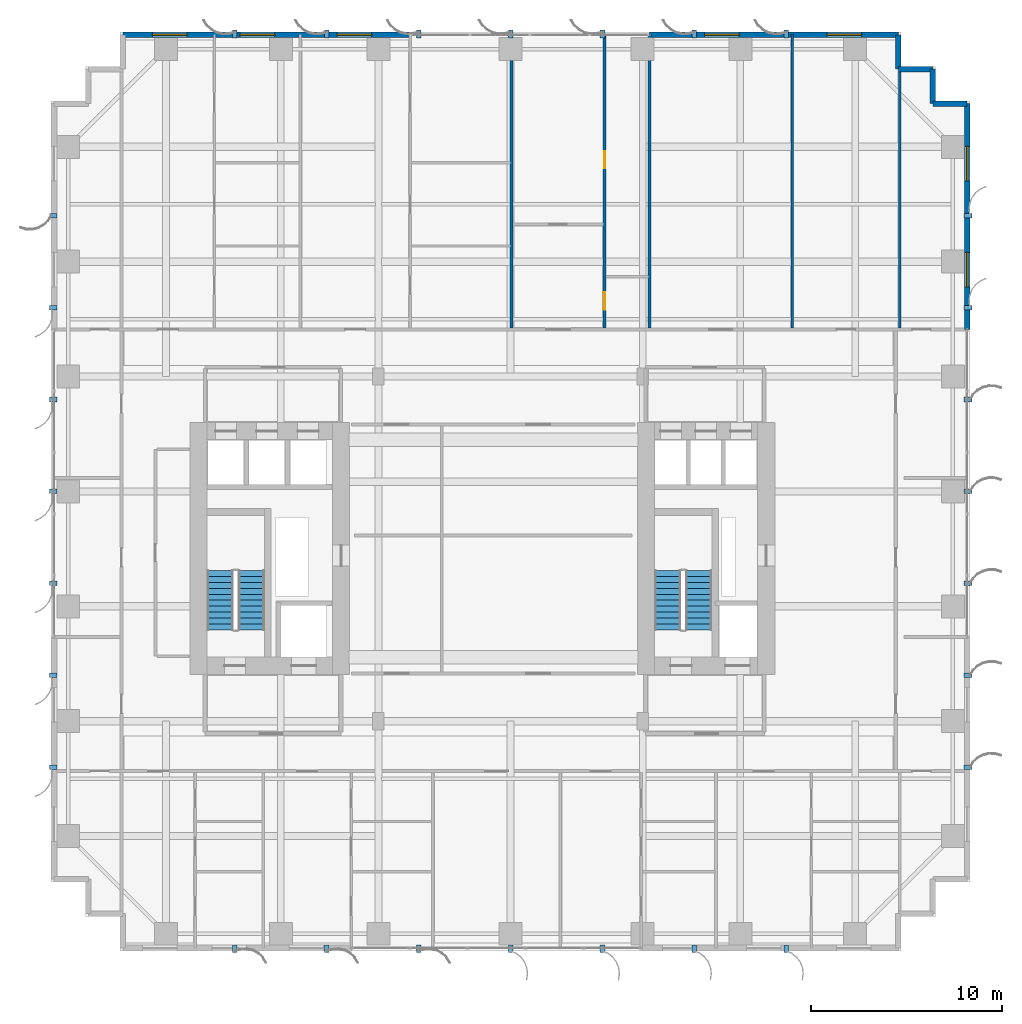
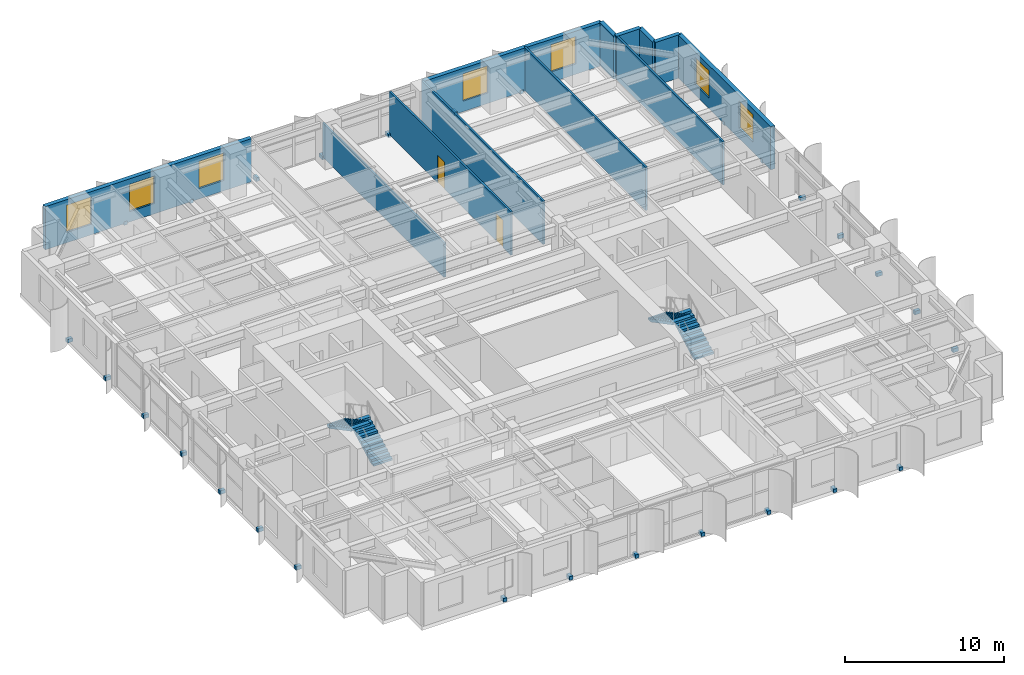
# One storey, part 20 of 24: 28 discrete accessories, 12 walls, 7 windows, 4 stair flights, 2 doors, 9 openings, 2 elements without a shape of their own.
"""IFC4 building model written with IfcOpenShell, lengths in metres."""

from ifc_helpers import new_model, si_unit, direction, frame, frame_2d, origin, origin_2d, place, context, subcontext, project, spatial, polyline, rectangle, outline, extrude, source, transform, mapped, material, layer, layer_set, type_object, element, fill, aggregate, save


model = new_model("IFC4")

# Units and contexts
model_context = context("Model", 3, precision=1e-05, world=origin(), true_north=direction((0.0, 1.0)))
body_context = subcontext(model_context, "Body", "Model", "MODEL_VIEW")
ifc_project = project(units=[si_unit("LENGTHUNIT", "METRE"), si_unit("AREAUNIT", "SQUARE_METRE"), si_unit("VOLUMEUNIT", "CUBIC_METRE"), si_unit("PLANEANGLEUNIT", "RADIAN"), si_unit("MASSUNIT", "GRAM", prefix="KILO")], contexts=[model_context])

# Site, building, storey
site_placement = place(None, origin())
site = spatial("IfcSite", under=ifc_project, at=site_placement, CompositionType="ELEMENT")
building_placement = place(site_placement, origin())
building = spatial("IfcBuilding", under=site, at=building_placement, Name="Khoralis Quay Care Tower", CompositionType="ELEMENT")
storey_placement = place(building_placement, frame((0.0, 0.0, 40.5)))
storey = spatial("IfcBuildingStorey", under=building, at=storey_placement, Name="L10", CompositionType="ELEMENT", Elevation=40.5)

# Wall, openings, windows
ifc_material_1 = material(Name="Precast concrete C45/55", Category="concrete")
ifc_layer_1 = layer(ifc_material_1, 0.300048828125)
ifc_layer_set_1 = layer_set([ifc_layer_1], Name="Precast concrete C45/55")
wall_type_1 = type_object("IfcWallType", Name="WL-EXT-REF-300", PredefinedType="SOLIDWALL", material=ifc_layer_set_1)
wall_1_placement = place(storey_placement, frame((47.85009765625, 32.4599609375, 0.0), z_axis=(0.0, 0.0, 1.0), x_axis=(0.0, 1.0, 0.0)))
wall_1 = element("IfcWall", 1, at=wall_1_placement, inside=storey, type_object=wall_type_1, Name="L10 External Facade Wall WL-EXT-L10-P1-E5B", PredefinedType="SOLIDWALL", context=body_context, shape_type="SweptSolid", body=[
    extrude(rectangle(XDim=11.7900390625, YDim=0.300048828125, at=frame_2d((5.89501953125, 0.0))), origin(), (0.0, 0.0, 1.0), 3.320068359375),
])
opening_1_placement = place(wall_1_placement, frame((2.2275390625, 0.0, 0.800048828125)))
opening_1 = element("IfcOpeningElement", 2, at=opening_1_placement, cuts=wall_1, Name="Opening W2", PredefinedType="OPENING", context=body_context, shape_type="SweptSolid", body=[
    extrude(rectangle(XDim=1.800048828125, YDim=2.10009765625, at=frame_2d((0.89990234375, 1.050048828125))), frame((0.0, 0.16015625, 0.0), z_axis=(0.0, -1.0, 0.0), x_axis=(1.0, 0.0, 0.0)), (0.0, 0.0, 1.0), 0.320068359375),
])
opening_2_placement = place(wall_1_placement, frame((7.762451171875, 0.0, 0.800048828125)))
opening_2 = element("IfcOpeningElement", 3, at=opening_2_placement, cuts=wall_1, Name="Opening W2", PredefinedType="OPENING", context=body_context, shape_type="SweptSolid", body=[
    extrude(rectangle(XDim=1.800048828125, YDim=2.10009765625, at=frame_2d((0.89990234375, 1.050048828125))), frame((0.0, 0.16015625, 0.0), z_axis=(0.0, -1.0, 0.0), x_axis=(1.0, 0.0, 0.0)), (0.0, 0.0, 1.0), 0.320068359375),
])
ifc_material_2 = material(Name="Low-E solar-control double glazing", Category="glass")
window_type = type_object("IfcWindowType", Name="WN-POD-1800X2100", PartitioningType="SINGLE_PANEL", PredefinedType="WINDOW", material=ifc_material_2)
shared_shape_1 = source(origin(), body_context, "Body", "SweptSolid", [
    extrude(rectangle(XDim=1.800048828125, YDim=2.10009765625, at=frame_2d((0.89990234375, 1.050048828125))), frame((0.0, 0.030029296875, 0.0), z_axis=(0.0, -1.0, 0.0), x_axis=(1.0, 0.0, 0.0)), (0.0, 0.0, 1.0), 0.06005859375),
])
window_1_placement = place(opening_1_placement, origin())
window_1 = element("IfcWindow", 4, at=window_1_placement, inside=storey, type_object=window_type, Name="WN-L10-P1-E5B Facade Window 01", OverallHeight=2.10009765625, OverallWidth=1.800048828125, PartitioningType="SINGLE_PANEL", PredefinedType="WINDOW", context=body_context, shape_type="MappedRepresentation", body=[
    mapped(shared_shape_1, transform((0.0, 0.0, 0.0), scale=1.0)),
])
fill(opening_1, window_1)
window_2_placement = place(opening_2_placement, origin())
window_2 = element("IfcWindow", 5, at=window_2_placement, inside=storey, type_object=window_type, Name="WN-L10-P1-E5B Facade Window 02", OverallHeight=2.10009765625, OverallWidth=1.800048828125, PartitioningType="SINGLE_PANEL", PredefinedType="WINDOW", context=body_context, shape_type="MappedRepresentation", body=[
    mapped(shared_shape_1, transform((0.0, 0.0, 0.0), scale=1.0)),
])
fill(opening_2, window_2)

# Walls
for number, where, z_axis, x_axis, name in (
    (6, (47.85009765625, 44.25, 0.0), (0.0, 0.0, 1.0), (-1.0, 0.0, 0.0), "L10 External Facade Wall WL-EXT-L10-P1-C6"),
    (7, (46.050048828125, 44.25, 0.0), (0.0, 0.0, 1.0), (0.0, 1.0, 0.0), "L10 External Facade Wall WL-EXT-L10-P1-C7"),
    (8, (46.050048828125, 46.050048828125, 0.0), (0.0, 0.0, 1.0), (-1.0, 0.0, 0.0), "L10 External Facade Wall WL-EXT-L10-P1-C8"),
    (9, (44.25, 46.050048828125, 0.0), (0.0, 0.0, 1.0), (0.0, 1.0, 0.0), "L10 External Facade Wall WL-EXT-L10-P1-C9"),
):
    element("IfcWall", number, at=place(storey_placement, frame(where, z_axis=z_axis, x_axis=x_axis)), inside=storey, type_object=wall_type_1, Name=name, PredefinedType="SOLIDWALL", context=body_context, shape_type="SweptSolid", body=[
        extrude(rectangle(XDim=1.800048828125, YDim=0.300048828125, at=frame_2d((0.89990234375, 0.0))), origin(), (0.0, 0.0, 1.0), 3.320068359375),
    ])

# Wall, openings, windows
wall_2_placement = place(storey_placement, frame((44.25, 47.85009765625, 0.0), z_axis=(0.0, 0.0, 1.0), x_axis=(-1.0, 0.0, 0.0)))
wall_2 = element("IfcWall", 10, at=wall_2_placement, inside=storey, type_object=wall_type_1, Name="L10 External Facade Wall WL-EXT-L10-P1-E10A", PredefinedType="SOLIDWALL", context=body_context, shape_type="SweptSolid", body=[
    extrude(rectangle(XDim=12.989990234375, YDim=0.300048828125, at=frame_2d((6.4951171875, 0.0))), origin(), (0.0, 0.0, 1.0), 3.320068359375),
])
opening_3_placement = place(wall_2_placement, frame((1.919921875, 0.0, 0.800048828125)))
opening_3 = element("IfcOpeningElement", 11, at=opening_3_placement, cuts=wall_2, Name="Opening W2", PredefinedType="OPENING", context=body_context, shape_type="SweptSolid", body=[
    extrude(rectangle(XDim=1.800048828125, YDim=2.10009765625, at=frame_2d((0.89990234375, 1.050048828125))), frame((0.0, 0.16015625, 0.0), z_axis=(0.0, -1.0, 0.0), x_axis=(1.0, 0.0, 0.0)), (0.0, 0.0, 1.0), 0.320068359375),
])
opening_4_placement = place(wall_2_placement, frame((8.31494140625, 0.0, 0.800048828125)))
opening_4 = element("IfcOpeningElement", 12, at=opening_4_placement, cuts=wall_2, Name="Opening W2", PredefinedType="OPENING", context=body_context, shape_type="SweptSolid", body=[
    extrude(rectangle(XDim=1.800048828125, YDim=2.10009765625, at=frame_2d((0.89990234375, 1.050048828125))), frame((0.0, 0.16015625, 0.0), z_axis=(0.0, -1.0, 0.0), x_axis=(1.0, 0.0, 0.0)), (0.0, 0.0, 1.0), 0.320068359375),
])
window_3_placement = place(opening_3_placement, origin())
window_3 = element("IfcWindow", 13, at=window_3_placement, inside=storey, type_object=window_type, Name="WN-L10-P1-E10A Facade Window 01", OverallHeight=2.10009765625, OverallWidth=1.800048828125, PartitioningType="SINGLE_PANEL", PredefinedType="WINDOW", context=body_context, shape_type="MappedRepresentation", body=[
    mapped(shared_shape_1, transform((0.0, 0.0, 0.0), scale=1.0)),
])
fill(opening_3, window_3)
window_4_placement = place(opening_4_placement, origin())
window_4 = element("IfcWindow", 14, at=window_4_placement, inside=storey, type_object=window_type, Name="WN-L10-P1-E10A Facade Window 02", OverallHeight=2.10009765625, OverallWidth=1.800048828125, PartitioningType="SINGLE_PANEL", PredefinedType="WINDOW", context=body_context, shape_type="MappedRepresentation", body=[
    mapped(shared_shape_1, transform((0.0, 0.0, 0.0), scale=1.0)),
])
fill(opening_4, window_4)

wall_3_placement = place(storey_placement, frame((18.756103515625, 47.85009765625, 0.0), z_axis=(0.0, 0.0, 1.0), x_axis=(-1.0, 0.0, 0.0)))
wall_3 = element("IfcWall", 15, at=wall_3_placement, inside=storey, type_object=wall_type_1, Name="L10 External Facade Wall WL-EXT-L10-P1-E10B", PredefinedType="SOLIDWALL", context=body_context, shape_type="SweptSolid", body=[
    extrude(rectangle(XDim=15.006103515625, YDim=0.300048828125, at=frame_2d((7.5029296875, 0.0))), origin(), (0.0, 0.0, 1.0), 3.320068359375),
])
opening_5_placement = place(wall_3_placement, frame((2.01806640625, 0.0, 0.800048828125)))
opening_5 = element("IfcOpeningElement", 16, at=opening_5_placement, cuts=wall_3, Name="Opening W2", PredefinedType="OPENING", context=body_context, shape_type="SweptSolid", body=[
    extrude(rectangle(XDim=1.800048828125, YDim=2.10009765625, at=frame_2d((0.89990234375, 1.050048828125))), frame((0.0, 0.16015625, 0.0), z_axis=(0.0, -1.0, 0.0), x_axis=(1.0, 0.0, 0.0)), (0.0, 0.0, 1.0), 0.320068359375),
])
opening_6_placement = place(wall_3_placement, frame((7.077392578125, 0.0, 0.800048828125)))
opening_6 = element("IfcOpeningElement", 17, at=opening_6_placement, cuts=wall_3, Name="Opening W2", PredefinedType="OPENING", context=body_context, shape_type="SweptSolid", body=[
    extrude(rectangle(XDim=1.800048828125, YDim=2.10009765625, at=frame_2d((0.89990234375, 1.050048828125))), frame((0.0, 0.16015625, 0.0), z_axis=(0.0, -1.0, 0.0), x_axis=(1.0, 0.0, 0.0)), (0.0, 0.0, 1.0), 0.320068359375),
])
opening_7_placement = place(wall_3_placement, frame((11.66259765625, 0.0, 0.800048828125)))
opening_7 = element("IfcOpeningElement", 18, at=opening_7_placement, cuts=wall_3, Name="Opening W2", PredefinedType="OPENING", context=body_context, shape_type="SweptSolid", body=[
    extrude(rectangle(XDim=1.800048828125, YDim=2.10009765625, at=frame_2d((0.89990234375, 1.050048828125))), frame((0.0, 0.16015625, 0.0), z_axis=(0.0, -1.0, 0.0), x_axis=(1.0, 0.0, 0.0)), (0.0, 0.0, 1.0), 0.320068359375),
])
window_5_placement = place(opening_5_placement, origin())
window_5 = element("IfcWindow", 19, at=window_5_placement, inside=storey, type_object=window_type, Name="WN-L10-P1-E10B Facade Window 01", OverallHeight=2.10009765625, OverallWidth=1.800048828125, PartitioningType="SINGLE_PANEL", PredefinedType="WINDOW", context=body_context, shape_type="MappedRepresentation", body=[
    mapped(shared_shape_1, transform((0.0, 0.0, 0.0), scale=1.0)),
])
fill(opening_5, window_5)
window_6_placement = place(opening_6_placement, origin())
window_6 = element("IfcWindow", 20, at=window_6_placement, inside=storey, type_object=window_type, Name="WN-L10-P1-E10B Facade Window 02", OverallHeight=2.10009765625, OverallWidth=1.800048828125, PartitioningType="SINGLE_PANEL", PredefinedType="WINDOW", context=body_context, shape_type="MappedRepresentation", body=[
    mapped(shared_shape_1, transform((0.0, 0.0, 0.0), scale=1.0)),
])
fill(opening_6, window_6)
window_7_placement = place(opening_7_placement, origin())
window_7 = element("IfcWindow", 21, at=window_7_placement, inside=storey, type_object=window_type, Name="WN-L10-P1-E10B Facade Window 03", OverallHeight=2.10009765625, OverallWidth=1.800048828125, PartitioningType="SINGLE_PANEL", PredefinedType="WINDOW", context=body_context, shape_type="MappedRepresentation", body=[
    mapped(shared_shape_1, transform((0.0, 0.0, 0.0), scale=1.0)),
])
fill(opening_7, window_7)

# Wall, openings, doors
ifc_material_3 = material(Name="Moisture-resistant gypsum and ceramic tile")
ifc_layer_2 = layer(ifc_material_3, 0.280029296875)
ifc_layer_set_2 = layer_set([ifc_layer_2], Name="Moisture-resistant gypsum and ceramic tile")
wall_type_2 = type_object("IfcWallType", Name="WL-PLUMB-280", PredefinedType="PLUMBINGWALL", material=ifc_layer_set_2)
wall_4_placement = place(storey_placement, frame((28.909912109375, 32.53759765625, 0.0), z_axis=(0.0, 0.0, 1.0), x_axis=(0.0, 1.0, 0.0)))
wall_4 = element("IfcWall", 22, at=wall_4_placement, inside=storey, type_object=wall_type_2, Name="L10 Care Suite 2 En-Suite Wall V", PredefinedType="PLUMBINGWALL", context=body_context, shape_type="SweptSolid", body=[
    extrude(rectangle(XDim=15.3173828125, YDim=0.139892578125, at=frame_2d((7.65869140625, 0.0))), origin(), (0.0, 0.0, 1.0), 3.320068359375),
])
opening_8_placement = place(wall_4_placement, frame((0.96240234375, 0.0, 0.0)))
opening_8 = element("IfcOpeningElement", 23, at=opening_8_placement, cuts=wall_4, Name="Opening WD1", PredefinedType="OPENING", context=body_context, shape_type="SweptSolid", body=[
    extrude(rectangle(XDim=0.89990234375, YDim=2.10009765625, at=frame_2d((0.449951171875, 1.050048828125))), frame((0.0, 0.080078125, 0.0), z_axis=(0.0, -1.0, 0.0), x_axis=(1.0, 0.0, 0.0)), (0.0, 0.0, 1.0), 0.159912109375),
])
opening_9_placement = place(wall_4_placement, frame((8.342529296875, 0.0, 0.0)))
opening_9 = element("IfcOpeningElement", 24, at=opening_9_placement, cuts=wall_4, Name="Opening WD1", PredefinedType="OPENING", context=body_context, shape_type="SweptSolid", body=[
    extrude(rectangle(XDim=0.89990234375, YDim=2.10009765625, at=frame_2d((0.449951171875, 1.050048828125))), frame((0.0, 0.080078125, 0.0), z_axis=(0.0, -1.0, 0.0), x_axis=(1.0, 0.0, 0.0)), (0.0, 0.0, 1.0), 0.159912109375),
])
ifc_material_4 = material(Name="Acoustic hardwood timber", Category="wood")
door_type = type_object("IfcDoorType", Name="DR-BATH-900X2100", OperationType="NOTDEFINED", PredefinedType="DOOR", material=ifc_material_4)
shared_shape_2 = source(origin(), body_context, "Body", "SweptSolid", [
    extrude(rectangle(XDim=0.89990234375, YDim=2.10009765625, at=frame_2d((0.449951171875, 1.050048828125))), frame((0.0, 0.02490234375, 0.0), z_axis=(0.0, -1.0, 0.0), x_axis=(1.0, 0.0, 0.0)), (0.0, 0.0, 1.0), 0.050048828125),
])
door_1_placement = place(opening_8_placement, frame((0.89990234375, 0.0, 0.0), z_axis=(0.0, 0.0, 1.0), x_axis=(-1.0, 0.0, 0.0)))
door_1 = element("IfcDoor", 25, at=door_1_placement, inside=storey, type_object=door_type, Name="L10 Care CENS Door", OperationType="SINGLE_SWING_LEFT", OverallHeight=2.10009765625, OverallWidth=0.89990234375, PredefinedType="DOOR", context=body_context, shape_type="MappedRepresentation", body=[
    mapped(shared_shape_2, transform((0.0, 0.0, 0.0), scale=1.0)),
])
fill(opening_8, door_1)
door_2_placement = place(opening_9_placement, frame((0.89990234375, 0.0, 0.0), z_axis=(0.0, 0.0, 1.0), x_axis=(-1.0, 0.0, 0.0)))
door_2 = element("IfcDoor", 26, at=door_2_placement, inside=storey, type_object=door_type, Name="L10 Care CSIT Door", OperationType="SINGLE_SWING_RIGHT", OverallHeight=2.10009765625, OverallWidth=0.89990234375, PredefinedType="DOOR", context=body_context, shape_type="MappedRepresentation", body=[
    mapped(shared_shape_2, transform((0.0, 0.0, 0.0), scale=1.0)),
])
fill(opening_9, door_2)

# Walls
ifc_material_5 = material(Name="Gypsum plasterboard on acoustic metal stud")
ifc_layer_3 = layer(ifc_material_5, 0.139892578125)
ifc_layer_set_3 = layer_set([ifc_layer_3], Name="Gypsum plasterboard on acoustic metal stud")
wall_type_3 = type_object("IfcWallType", Name="WL-UNIT-140", PredefinedType="PARTITIONING", material=ifc_layer_set_3)
wall_5_placement = place(storey_placement, frame((24.050048828125, 32.53759765625, 0.0), z_axis=(0.0, 0.0, 1.0), x_axis=(0.0, 1.0, 0.0)))
element("IfcWall", 27, at=wall_5_placement, inside=storey, type_object=wall_type_3, Name="L10 NB Demising Wall 2", PredefinedType="PARTITIONING", context=body_context, shape_type="SweptSolid", body=[
    extrude(rectangle(XDim=15.3173828125, YDim=0.139892578125, at=frame_2d((7.65869140625, 0.0))), origin(), (0.0, 0.0, 1.0), 2.625),
])
for number, where, z_axis, x_axis, name in (
    (28, (31.260009765625, 32.53759765625, 0.0), (0.0, 0.0, 1.0), (0.0, 1.0, 0.0), "L10 NB Demising Wall 3"),
    (29, (38.7099609375, 32.53759765625, 0.0), (0.0, 0.0, 1.0), (0.0, 1.0, 0.0), "L10 NB Demising Wall 4"),
):
    element("IfcWall", number, at=place(storey_placement, frame(where, z_axis=z_axis, x_axis=x_axis)), inside=storey, type_object=wall_type_3, Name=name, PredefinedType="PARTITIONING", context=body_context, shape_type="SweptSolid", body=[
        extrude(rectangle(XDim=15.3173828125, YDim=0.139892578125, at=frame_2d((7.65869140625, 0.0))), origin(), (0.0, 0.0, 1.0), 3.320068359375),
    ])
wall_6_placement = place(storey_placement, frame((44.320068359375, 32.53759765625, 0.0), z_axis=(0.0, 0.0, 1.0), x_axis=(0.0, 1.0, 0.0)))
element("IfcWall", 30, at=wall_6_placement, inside=storey, type_object=wall_type_3, Name="L10 NB Demising Wall 5", PredefinedType="PARTITIONING", context=body_context, shape_type="SweptSolid", body=[
    extrude(rectangle(XDim=13.517333984375, YDim=0.139892578125, at=frame_2d((6.7587890625, 0.0))), origin(), (0.0, 0.0, 1.0), 3.320068359375),
])

# Stair, stair flights
stair_type = type_object("IfcStairType", Name="ST-TWR-DOGLEG-1400", PredefinedType="HALF_TURN_STAIR", material=ifc_material_1)
stair_1_placement = place(storey_placement, origin())
stair_1 = element("IfcStair", 31, at=stair_1_placement, inside=storey, type_object=stair_type, Name="L10 West Core Exit Stair ST-T1", PredefinedType="HALF_TURN_STAIR")
stair_flight_type = type_object("IfcStairFlightType", Name="SF-TWR-1400", PredefinedType="STRAIGHT", material=ifc_material_1)
shared_shape_3 = source(origin(), body_context, "Body", "SweptSolid", [
    extrude(outline(polyline([(0.0, 0.0), (0.0, 0.16357421875), (0.31005859375, 0.16357421875), (0.31005859375, 0.327392578125), (0.6201171875, 0.327392578125), (0.6201171875, 0.490966796875), (0.929931640625, 0.490966796875), (0.929931640625, 0.654541015625), (1.239990234375, 0.654541015625), (1.239990234375, 0.818115234375), (1.550048828125, 0.818115234375), (1.550048828125, 0.98193359375), (1.860107421875, 0.98193359375), (1.860107421875, 1.1455078125), (2.169921875, 1.1455078125), (2.169921875, 1.30908203125), (2.47998046875, 1.30908203125), (2.47998046875, 1.47265625), (2.7900390625, 1.47265625), (2.7900390625, 1.636474609375), (3.10009765625, 1.636474609375), (3.10009765625, 1.800048828125), (3.10009765625, 1.466796875), (0.321044921875, 0.0), (0.0, 0.0)])), frame((0.0, 0.68994140625, 0.0), z_axis=(0.0, -1.0, 0.0), x_axis=(1.0, 0.0, 0.0)), (0.0, 0.0, 1.0), 1.3798828125),
])
stair_flight_1_placement = place(storey_placement, frame((10.4599609375, 16.77001953125, 0.0), z_axis=(0.0, 0.0, 1.0), x_axis=(0.0, 1.0, 0.0)))
stair_flight_1 = element("IfcStairFlight", 32, at=stair_flight_1_placement, type_object=stair_flight_type, Name="ST-T1 flight 1", NumberOfRisers=11, NumberOfTreads=10, PredefinedType="STRAIGHT", RiserHeight=0.163636364, TreadLength=0.31, context=body_context, shape_type="MappedRepresentation", body=[
    mapped(shared_shape_3, transform((0.0, 0.0, 0.0), scale=1.0)),
])
stair_flight_2_placement = place(storey_placement, frame((8.840087890625, 19.8701171875, 1.800048828125), z_axis=(0.0, 0.0, 1.0), x_axis=(0.0, -1.0, 0.0)))
stair_flight_2 = element("IfcStairFlight", 33, at=stair_flight_2_placement, type_object=stair_flight_type, Name="ST-T1 flight 2", NumberOfRisers=11, NumberOfTreads=10, PredefinedType="STRAIGHT", RiserHeight=0.163636364, TreadLength=0.31, context=body_context, shape_type="MappedRepresentation", body=[
    mapped(shared_shape_3, transform((0.0, 0.0, 0.0), scale=1.0)),
])
aggregate(stair_1, [stair_flight_1, stair_flight_2])

stair_2_placement = place(storey_placement, origin())
stair_2 = element("IfcStair", 34, at=stair_2_placement, inside=storey, type_object=stair_type, Name="L10 East Core Exit Stair ST-T2", PredefinedType="HALF_TURN_STAIR")
stair_flight_3_placement = place(storey_placement, frame((33.830078125, 16.77001953125, 0.0), z_axis=(0.0, 0.0, 1.0), x_axis=(0.0, 1.0, 0.0)))
stair_flight_3 = element("IfcStairFlight", 35, at=stair_flight_3_placement, type_object=stair_flight_type, Name="ST-T2 flight 1", NumberOfRisers=11, NumberOfTreads=10, PredefinedType="STRAIGHT", RiserHeight=0.163636364, TreadLength=0.31, context=body_context, shape_type="MappedRepresentation", body=[
    mapped(shared_shape_3, transform((0.0, 0.0, 0.0), scale=1.0)),
])
stair_flight_4_placement = place(storey_placement, frame((32.2099609375, 19.8701171875, 1.800048828125), z_axis=(0.0, 0.0, 1.0), x_axis=(0.0, -1.0, 0.0)))
stair_flight_4 = element("IfcStairFlight", 36, at=stair_flight_4_placement, type_object=stair_flight_type, Name="ST-T2 flight 2", NumberOfRisers=11, NumberOfTreads=10, PredefinedType="STRAIGHT", RiserHeight=0.163636364, TreadLength=0.31, context=body_context, shape_type="MappedRepresentation", body=[
    mapped(shared_shape_3, transform((0.0, 0.0, 0.0), scale=1.0)),
])
aggregate(stair_2, [stair_flight_3, stair_flight_4])

# Discrete accessories
ifc_material_6 = material(Name="Brushed stainless steel", Category="steel")
discrete_accessory_type = type_object("IfcDiscreteAccessoryType", Name="ACC-FIN-BRACKET", PredefinedType="BRACKET", material=ifc_material_6)
shared_shape_4 = source(origin(), body_context, "Body", "SweptSolid", [
    extrude(rectangle(XDim=0.39990234375, YDim=0.239990234375, at=origin_2d()), origin(), (0.0, 0.0, 1.0), 0.280029296875),
])
for number, where, z_axis, x_axis, name in (
    (37, (9.60009765625, 0.110107421875, -0.1201171875), (0.0, 0.0, 1.0), (0.0, -1.0, 0.0), "L10 Solar Fin Bracket P1E0-01"),
    (38, (14.39990234375, 0.110107421875, -0.1201171875), (0.0, 0.0, 1.0), (0.0, -1.0, 0.0), "L10 Solar Fin Bracket P1E0-02"),
    (39, (19.199951171875, 0.110107421875, -0.1201171875), (0.0, 0.0, 1.0), (0.0, -1.0, 0.0), "L10 Solar Fin Bracket P1E0-03"),
    (40, (24.0, 0.110107421875, -0.1201171875), (0.0, 0.0, 1.0), (0.0, -1.0, 0.0), "L10 Solar Fin Bracket P1E0-04"),
    (41, (28.800048828125, 0.110107421875, -0.1201171875), (0.0, 0.0, 1.0), (0.0, -1.0, 0.0), "L10 Solar Fin Bracket P1E0-05"),
    (42, (33.60009765625, 0.110107421875, -0.1201171875), (0.0, 0.0, 1.0), (0.0, -1.0, 0.0), "L10 Solar Fin Bracket P1E0-06"),
    (43, (38.39990234375, 0.110107421875, -0.1201171875), (0.0, 0.0, 1.0), (0.0, -1.0, 0.0), "L10 Solar Fin Bracket P1E0-07"),
    (44, (47.889892578125, 9.60009765625, -0.1201171875), (0.0, 0.0, 1.0), (1.0, 0.0, 0.0), "L10 Solar Fin Bracket P1E5-01"),
    (45, (47.889892578125, 14.39990234375, -0.1201171875), (0.0, 0.0, 1.0), (1.0, 0.0, 0.0), "L10 Solar Fin Bracket P1E5-02"),
    (46, (47.889892578125, 19.199951171875, -0.1201171875), (0.0, 0.0, 1.0), (1.0, 0.0, 0.0), "L10 Solar Fin Bracket P1E5-03"),
    (47, (47.889892578125, 24.0, -0.1201171875), (0.0, 0.0, 1.0), (1.0, 0.0, 0.0), "L10 Solar Fin Bracket P1E5-04"),
    (48, (47.889892578125, 28.800048828125, -0.1201171875), (0.0, 0.0, 1.0), (1.0, 0.0, 0.0), "L10 Solar Fin Bracket P1E5-05"),
    (49, (47.889892578125, 33.60009765625, -0.1201171875), (0.0, 0.0, 1.0), (1.0, 0.0, 0.0), "L10 Solar Fin Bracket P1E5-06"),
    (50, (47.889892578125, 38.39990234375, -0.1201171875), (0.0, 0.0, 1.0), (1.0, 0.0, 0.0), "L10 Solar Fin Bracket P1E5-07"),
    (51, (38.39990234375, 47.889892578125, -0.1201171875), (0.0, 0.0, 1.0), (0.0, 1.0, 0.0), "L10 Solar Fin Bracket P1E10-01"),
    (52, (33.60009765625, 47.889892578125, -0.1201171875), (0.0, 0.0, 1.0), (0.0, 1.0, 0.0), "L10 Solar Fin Bracket P1E10-02"),
    (53, (28.800048828125, 47.889892578125, -0.1201171875), (0.0, 0.0, 1.0), (0.0, 1.0, 0.0), "L10 Solar Fin Bracket P1E10-03"),
    (54, (24.0, 47.889892578125, -0.1201171875), (0.0, 0.0, 1.0), (0.0, 1.0, 0.0), "L10 Solar Fin Bracket P1E10-04"),
    (55, (19.199951171875, 47.889892578125, -0.1201171875), (0.0, 0.0, 1.0), (0.0, 1.0, 0.0), "L10 Solar Fin Bracket P1E10-05"),
    (56, (14.39990234375, 47.889892578125, -0.1201171875), (0.0, 0.0, 1.0), (0.0, 1.0, 0.0), "L10 Solar Fin Bracket P1E10-06"),
    (57, (9.60009765625, 47.889892578125, -0.1201171875), (0.0, 0.0, 1.0), (0.0, 1.0, 0.0), "L10 Solar Fin Bracket P1E10-07"),
    (58, (0.110107421875, 38.39990234375, -0.1201171875), (0.0, 0.0, 1.0), (-1.0, 0.0, 0.0), "L10 Solar Fin Bracket P1E15-01"),
    (59, (0.110107421875, 33.60009765625, -0.1201171875), (0.0, 0.0, 1.0), (-1.0, 0.0, 0.0), "L10 Solar Fin Bracket P1E15-02"),
    (60, (0.110107421875, 28.800048828125, -0.1201171875), (0.0, 0.0, 1.0), (-1.0, 0.0, 0.0), "L10 Solar Fin Bracket P1E15-03"),
    (61, (0.110107421875, 24.0, -0.1201171875), (0.0, 0.0, 1.0), (-1.0, 0.0, 0.0), "L10 Solar Fin Bracket P1E15-04"),
    (62, (0.110107421875, 19.199951171875, -0.1201171875), (0.0, 0.0, 1.0), (-1.0, 0.0, 0.0), "L10 Solar Fin Bracket P1E15-05"),
    (63, (0.110107421875, 14.39990234375, -0.1201171875), (0.0, 0.0, 1.0), (-1.0, 0.0, 0.0), "L10 Solar Fin Bracket P1E15-06"),
    (64, (0.110107421875, 9.60009765625, -0.1201171875), (0.0, 0.0, 1.0), (-1.0, 0.0, 0.0), "L10 Solar Fin Bracket P1E15-07"),
):
    element("IfcDiscreteAccessory", number, at=place(storey_placement, frame(where, z_axis=z_axis, x_axis=x_axis)), inside=storey, type_object=discrete_accessory_type, Name=name, PredefinedType="BRACKET", context=body_context, shape_type="MappedRepresentation", body=[
        mapped(shared_shape_4, transform((0.0, 0.0, 0.0), scale=1.0)),
    ])

save(model, "model.ifc")
